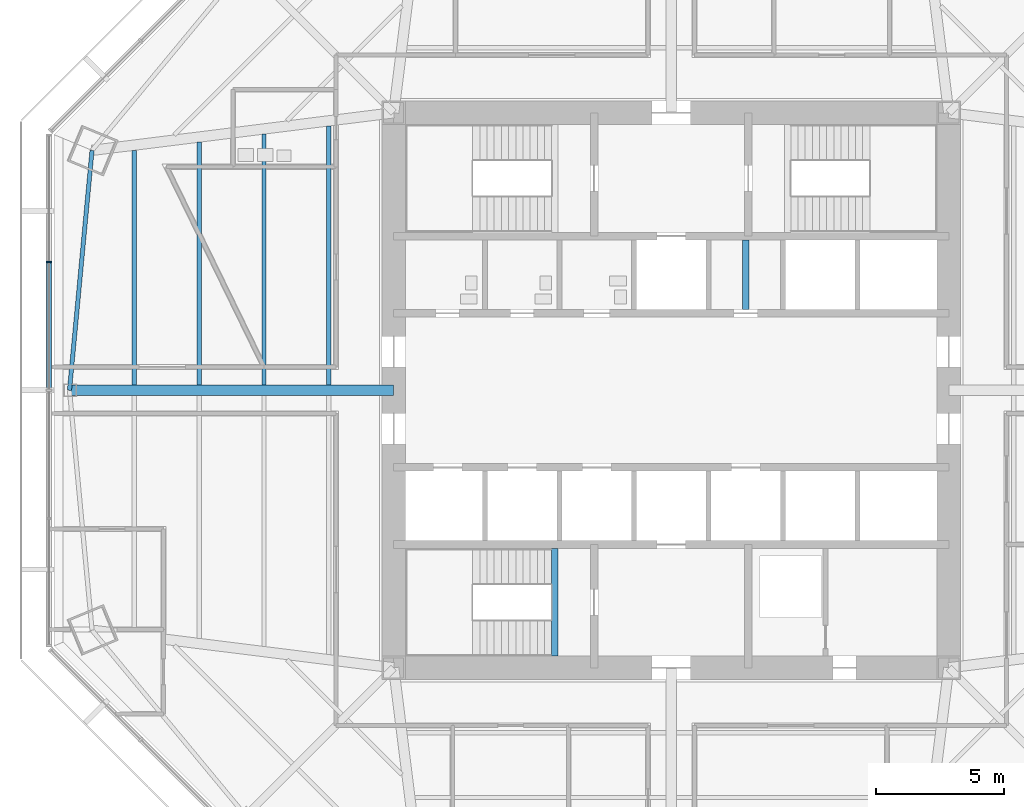
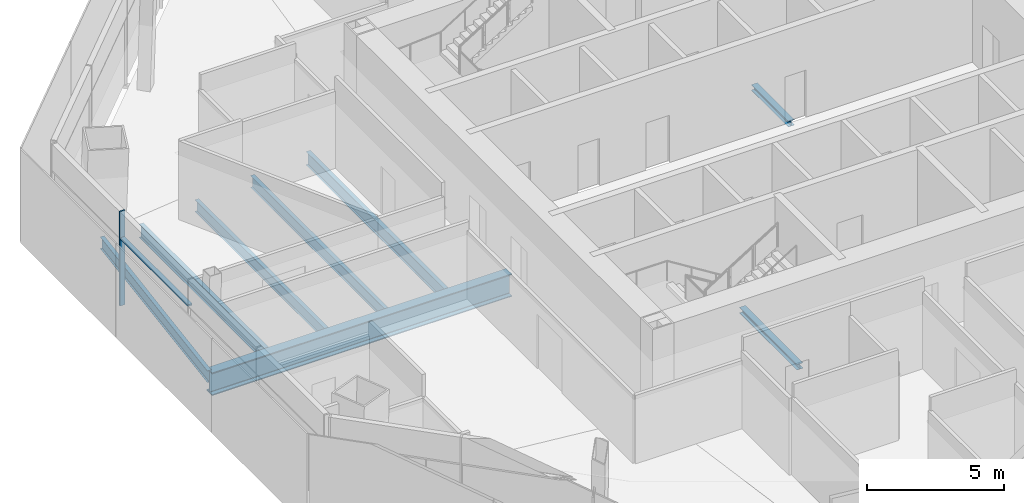
# One storey, part 3 of 14: 8 beams, 2 members, 1 element without a shape of its own.
"""IFC4 building model written with IfcOpenShell, lengths in metres."""

from ifc_helpers import new_model, si_unit, direction, frame, origin, origin_2d, place, context, subcontext, project, spatial, rectangle, i_section, extrude, source, transform, mapped, material, material_profile, profile_set, type_object, type_shapes, element, aggregate, save


model = new_model("IFC4")

# Units and contexts
model_context = context("Model", 3, precision=1e-05, world=origin(), true_north=direction((0.0, 1.0)))
body_context = subcontext(model_context, "Body", "Model", "MODEL_VIEW")
ifc_project = project(units=[si_unit("LENGTHUNIT", "METRE"), si_unit("AREAUNIT", "SQUARE_METRE"), si_unit("VOLUMEUNIT", "CUBIC_METRE"), si_unit("PLANEANGLEUNIT", "RADIAN"), si_unit("MASSUNIT", "GRAM", prefix="KILO")], contexts=[model_context])

# Site, building, storey
site_placement = place(None, origin())
site = spatial("IfcSite", under=ifc_project, at=site_placement, CompositionType="ELEMENT")
building_placement = place(site_placement, origin())
building = spatial("IfcBuilding", under=site, at=building_placement, Name="Mashrafa Tower", CompositionType="ELEMENT")
storey_placement = place(building_placement, frame((0.0, 0.0, 134.39990234375)))
storey = spatial("IfcBuildingStorey", under=building, at=storey_placement, Name="L30", CompositionType="ELEMENT", Elevation=134.39990234375)

# Beams
ifc_material_1 = material(Name="Steel ASTM A992", Category="steel")
ifc_material_profile_1 = material_profile(ifc_material_1, i_section(OverallWidth=0.1650390625, OverallDepth=0.52587890625, WebThickness=0.0087890625, FlangeThickness=0.011474609375, FilletRadius=0.0126953125, at=origin_2d()), Name="W21X44")
ifc_profile_set_1 = profile_set([ifc_material_profile_1], Name="Steel ASTM A992")
beam_type_1 = type_object("IfcBeamType", Name="Beam W21X44", PredefinedType="BEAM", material=ifc_profile_set_1)
beam_1_placement = place(storey_placement, frame((-18.370361328125, 0.20068359375, -0.427734375), z_axis=(0.0, 1.0, 0.0), x_axis=(-1.0, 0.0, 0.0)))
element("IfcBeam", 1, at=beam_1_placement, inside=storey, type_object=beam_type_1, Name="Floor beam L30 005", PredefinedType="BEAM", context=body_context, shape_type="SweptSolid", body=[
    extrude(i_section(OverallWidth=0.1650390625, OverallDepth=0.52587890625, WebThickness=0.0087890625, FlangeThickness=0.011474609375, FilletRadius=0.0126953125, at=origin_2d()), origin(), (0.0, 0.0, 1.0), 9.453125),
])
beam_2_placement = place(storey_placement, frame((-15.846923828125, 0.20068359375, -0.427734375), z_axis=(0.0, 1.0, 0.0), x_axis=(-1.0, 0.0, 0.0)))
element("IfcBeam", 2, at=beam_2_placement, inside=storey, type_object=beam_type_1, Name="Floor beam L30 007", PredefinedType="BEAM", context=body_context, shape_type="SweptSolid", body=[
    extrude(i_section(OverallWidth=0.1650390625, OverallDepth=0.52587890625, WebThickness=0.0087890625, FlangeThickness=0.011474609375, FilletRadius=0.0126953125, at=origin_2d()), origin(), (0.0, 0.0, 1.0), 9.767822265625),
])
beam_3_placement = place(storey_placement, frame((-22.539306640625, 9.3359375, -0.427734375), z_axis=(-0.093650410541, -0.995605142918, 0.0), x_axis=(0.995605142918, -0.093650410541, 0.0)))
element("IfcBeam", 3, at=beam_3_placement, inside=storey, type_object=beam_type_1, Name="Spandrel beam L30 067", PredefinedType="BEAM", context=body_context, shape_type="SweptSolid", body=[
    extrude(i_section(OverallWidth=0.1650390625, OverallDepth=0.52587890625, WebThickness=0.0087890625, FlangeThickness=0.011474609375, FilletRadius=0.0126953125, at=origin_2d()), origin(), (0.0, 0.0, 1.0), 9.377197265625),
])
ifc_material_2 = material(Name="Steel ASTM A992", Category="steel")
ifc_material_profile_2 = material_profile(ifc_material_2, i_section(OverallWidth=0.177978515625, OverallDepth=0.599365234375, WebThickness=0.010009765625, FlangeThickness=0.012939453125, FilletRadius=0.012939453125, at=origin_2d()), Name="W24X55")
ifc_profile_set_2 = profile_set([ifc_material_profile_2], Name="Steel ASTM A992")
beam_type_2 = type_object("IfcBeamType", Name="Beam W24X55", PredefinedType="BEAM", material=ifc_profile_set_2)
beam_4_placement = place(storey_placement, frame((-20.893798828125, 0.20068359375, -0.464599609375), z_axis=(0.0, 1.0, 0.0), x_axis=(-1.0, 0.0, 0.0)))
element("IfcBeam", 4, at=beam_4_placement, inside=storey, type_object=beam_type_2, Name="Floor beam L30 002", PredefinedType="BEAM", context=body_context, shape_type="SweptSolid", body=[
    extrude(i_section(OverallWidth=0.177978515625, OverallDepth=0.599365234375, WebThickness=0.010009765625, FlangeThickness=0.012939453125, FilletRadius=0.012939453125, at=origin_2d()), origin(), (0.0, 0.0, 1.0), 9.138427734375),
])
beam_5_placement = place(storey_placement, frame((-13.323486328125, 0.20068359375, -0.464599609375), z_axis=(0.0, 1.0, 0.0), x_axis=(-1.0, 0.0, 0.0)))
element("IfcBeam", 5, at=beam_5_placement, inside=storey, type_object=beam_type_2, Name="Floor beam L30 012", PredefinedType="BEAM", context=body_context, shape_type="SweptSolid", body=[
    extrude(i_section(OverallWidth=0.177978515625, OverallDepth=0.599365234375, WebThickness=0.010009765625, FlangeThickness=0.012939453125, FilletRadius=0.012939453125, at=origin_2d()), origin(), (0.0, 0.0, 1.0), 10.08251953125),
])
ifc_material_3 = material(Name="Steel ASTM A992", Category="steel")
ifc_material_profile_3 = material_profile(ifc_material_3, i_section(OverallWidth=0.4013671875, OverallDepth=1.010986328125, WebThickness=0.023681640625, FlangeThickness=0.0419921875, FilletRadius=0.02001953125, at=origin_2d()), Name="W40X297")
ifc_profile_set_3 = profile_set([ifc_material_profile_3], Name="Steel ASTM A992")
beam_type_3 = type_object("IfcBeamType", Name="Beam W40X297", PredefinedType="BEAM", material=ifc_profile_set_3)
beam_6_placement = place(storey_placement, frame((-10.800048828125, 0.0, -0.67041015625), z_axis=(-1.0, 0.0, 0.0), x_axis=(0.0, -1.0, 0.0)))
element("IfcBeam", 6, at=beam_6_placement, inside=storey, type_object=beam_type_3, Name="Radial girder L30 052", PredefinedType="BEAM", context=body_context, shape_type="SweptSolid", body=[
    extrude(i_section(OverallWidth=0.4013671875, OverallDepth=1.010986328125, WebThickness=0.023681640625, FlangeThickness=0.0419921875, FilletRadius=0.02001953125, at=origin_2d()), origin(), (0.0, 0.0, 1.0), 12.617431640625),
])
ifc_material_4 = material(Name="Steel ASTM A992", Category="steel")
ifc_material_profile_4 = material_profile(ifc_material_4, i_section(OverallWidth=0.25390625, OverallDepth=0.25390625, WebThickness=0.008544921875, FlangeThickness=0.01416015625, FilletRadius=0.010009765625, at=origin_2d()), Name="W10X49")
ifc_profile_set_4 = profile_set([ifc_material_profile_4], Name="Steel ASTM A992")
beam_type_4 = type_object("IfcBeamType", Name="Hoistway beam W10X49", PredefinedType="BEAM", material=ifc_profile_set_4)
beam_7_placement = place(storey_placement, frame((2.89990234375, 3.14990234375, -0.2919921875), z_axis=(0.0, 1.0, 0.0), x_axis=(-1.0, 0.0, 0.0)))
element("IfcBeam", 7, at=beam_7_placement, inside=storey, type_object=beam_type_4, Name="Hoistway beam L30 06", PredefinedType="BEAM", context=body_context, shape_type="SweptSolid", body=[
    extrude(i_section(OverallWidth=0.25390625, OverallDepth=0.25390625, WebThickness=0.008544921875, FlangeThickness=0.01416015625, FilletRadius=0.010009765625, at=origin_2d()), origin(), (0.0, 0.0, 1.0), 2.7001953125),
])
beam_8_placement = place(storey_placement, frame((-4.530029296875, -10.35009765625, -0.326904296875), z_axis=(0.0, 1.0, 0.0), x_axis=(-1.0, 0.0, 0.0)))
element("IfcBeam", 8, at=beam_8_placement, inside=storey, type_object=beam_type_4, Name="Stair S3 landing beam L30", PredefinedType="BEAM", context=body_context, shape_type="SweptSolid", body=[
    extrude(i_section(OverallWidth=0.25390625, OverallDepth=0.25390625, WebThickness=0.008544921875, FlangeThickness=0.01416015625, FilletRadius=0.010009765625, at=origin_2d()), origin(), (0.0, 0.0, 1.0), 4.2001953125),
])

# Curtain wall, members
ifc_material_5 = material(Name="Unitised aluminium curtain wall", Category="aluminium")
curtain_wall_type = type_object("IfcCurtainWallType", Name="Office curtain wall, zone 2 CW-B 225 deep", PredefinedType="NOTDEFINED", material=ifc_material_5)
curtain_wall_placement = place(storey_placement, origin())
curtain_wall = element("IfcCurtainWall", 9, at=curtain_wall_placement, inside=storey, type_object=curtain_wall_type, Name="Office curtain wall, zone 2 L30 west", PredefinedType="NOTDEFINED")
ifc_material_6 = material(Name="Extruded aluminium mullion", Category="aluminium")
ifc_material_profile_5 = material_profile(ifc_material_6, rectangle(XDim=0.22509765625, YDim=0.06494140625, at=origin_2d()), Name="Mullion 65x225")
ifc_profile_set_5 = profile_set([ifc_material_profile_5], Name="Extruded aluminium mullion")
member_type_1 = type_object("IfcMemberType", Name="Mullion CW-B 65 x 225", PredefinedType="MULLION", material=ifc_profile_set_5)
shared_shape_1 = source(origin(), body_context, "Body", "SweptSolid", [
    extrude(rectangle(XDim=0.22509765625, YDim=0.06494140625, at=origin_2d()), origin(), (0.0, 0.0, 1.0), 4.2001953125),
])
type_shapes(member_type_1, [shared_shape_1])
member_1_placement = place(storey_placement, frame((-24.212646484375, 4.986328125, 0.0), z_axis=(0.0, 0.0, 1.0), x_axis=(1.0, 0.0, 0.0)))
member_1 = element("IfcMember", 10, at=member_1_placement, type_object=member_type_1, Name="CW-B mullion 2", PredefinedType="MULLION", context=body_context, shape_type="MappedRepresentation", body=[
    mapped(shared_shape_1, transform((0.0, 0.0, 0.0))),
])
ifc_material_7 = material(Name="Extruded aluminium transom", Category="aluminium")
ifc_material_profile_6 = material_profile(ifc_material_7, rectangle(XDim=0.179931640625, YDim=0.080078125, at=origin_2d()), Name="Transom 80x180")
ifc_profile_set_6 = profile_set([ifc_material_profile_6], Name="Extruded aluminium transom")
member_type_2 = type_object("IfcMemberType", Name="Transom CW-B 80 x 180", PredefinedType="MULLION", material=ifc_profile_set_6)
shared_shape_2 = source(origin(), body_context, "Body", "SweptSolid", [
    extrude(rectangle(XDim=0.179931640625, YDim=0.080078125, at=origin_2d()), origin(), (0.0, 0.0, 1.0), 4.92138671875),
])
type_shapes(member_type_2, [shared_shape_2])
member_2_placement = place(storey_placement, frame((-24.212646484375, 4.953857421875, 3.0), z_axis=(0.0, -1.0, 0.0), x_axis=(1.0, 0.0, 0.0)))
member_2 = element("IfcMember", 11, at=member_2_placement, type_object=member_type_2, Name="CW-B transom 2", PredefinedType="MULLION", context=body_context, shape_type="MappedRepresentation", body=[
    mapped(shared_shape_2, transform((0.0, 0.0, 0.0))),
])
aggregate(curtain_wall, [member_1, member_2])

save(model, "model.ifc")
